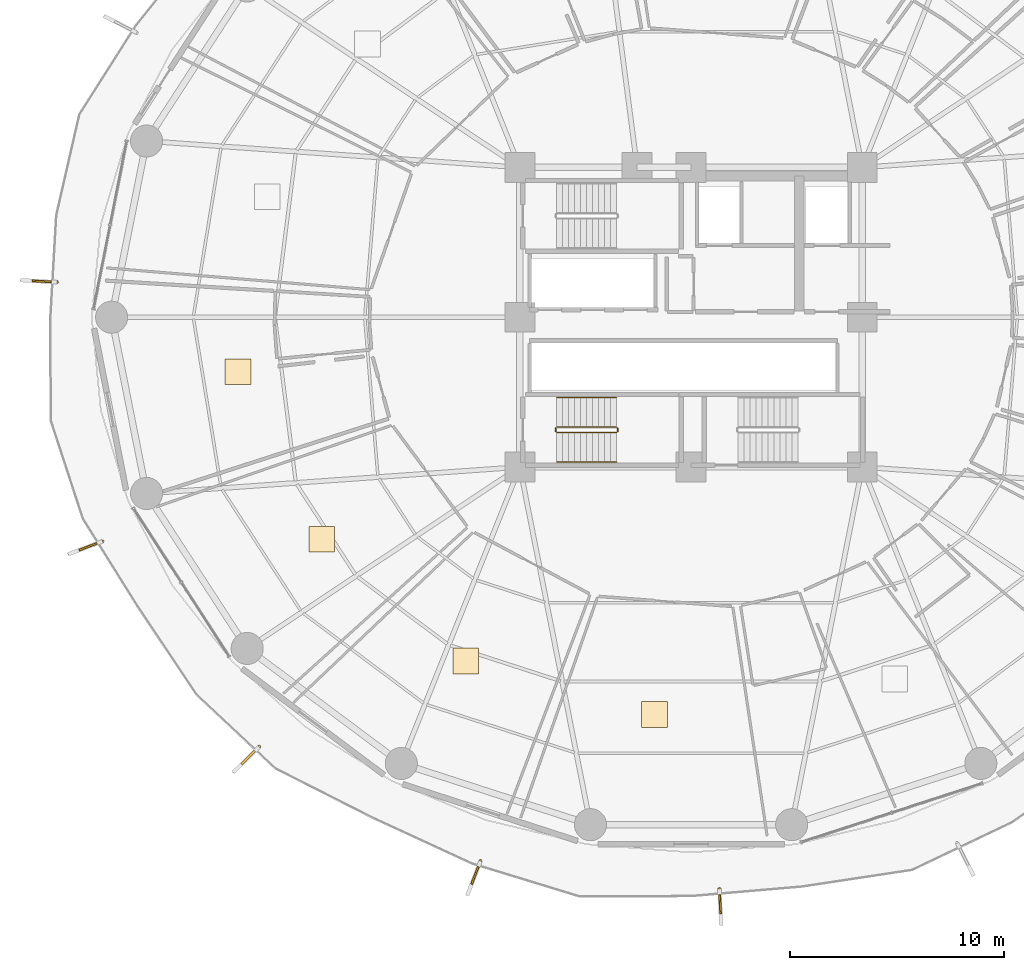
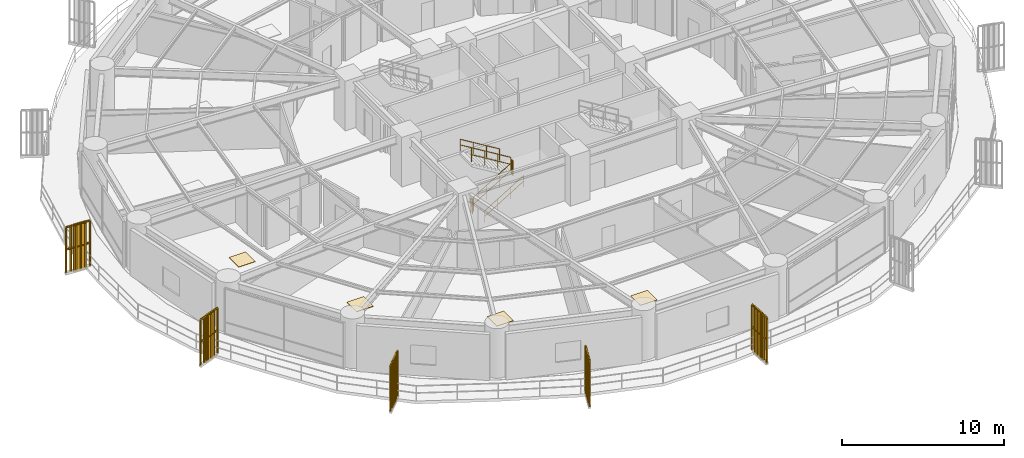
# One storey, part 28 of 32: 11 railings, 5 shading devices, 4 coverings.
"""IFC4 building model written with IfcOpenShell, lengths in metres."""

from ifc_helpers import new_model, si_unit, direction, frame, origin, origin_2d, place, context, subcontext, project, spatial, polyline, rectangle, outline, extrude, source, transform, mapped, material, layer, layer_set, type_object, element, save


model = new_model("IFC4")

# Units and contexts
model_context = context("Model", 3, precision=1e-05, world=origin(), true_north=direction((0.0, 1.0)))
body_context = subcontext(model_context, "Body", "Model", "MODEL_VIEW")
ifc_project = project(units=[si_unit("LENGTHUNIT", "METRE"), si_unit("AREAUNIT", "SQUARE_METRE"), si_unit("VOLUMEUNIT", "CUBIC_METRE"), si_unit("PLANEANGLEUNIT", "RADIAN"), si_unit("MASSUNIT", "GRAM", prefix="KILO")], contexts=[model_context])

# Site, building, storey
site_placement = place(None, origin())
site = spatial("IfcSite", under=ifc_project, at=site_placement, CompositionType="ELEMENT")
building_placement = place(site_placement, origin())
building = spatial("IfcBuilding", under=site, at=building_placement, Name="Kelanora Arch Commons", CompositionType="ELEMENT")
storey_placement = place(building_placement, frame((0.0, 0.0, 60.0)))
storey = spatial("IfcBuildingStorey", under=building, at=storey_placement, Name="L15", CompositionType="ELEMENT", Elevation=60.0)

# Railings
ifc_material_1 = material(Name="Anodised bronze vertical shading fin rib assembly")
railing_type_1 = type_object("IfcRailingType", Name="RAIL-FIN-BRZ", PredefinedType="BALUSTRADE", material=ifc_material_1)
railing_1_placement = place(storey_placement, frame((44.371826171875, 59.63720703125, -0.02001953125)))
element("IfcRailing", 1, at=railing_1_placement, inside=storey, type_object=railing_type_1, Name="Sweeping Bronze Vertical Fin Blade L15-06", PredefinedType="BALUSTRADE", context=body_context, shape_type="SweptSolid", body=[
    extrude(outline(polyline([(0.06982421875, 0.0), (0.034912109375, 0.060546875), (-0.034912109375, 0.060546875), (-0.06982421875, 0.0), (-0.034912109375, -0.060546875), (0.034912109375, -0.060546875), (0.06982421875, 0.0)])), frame((0.0, 0.0, 3.419921875), z_axis=(-0.998477100591, 0.055167740526, 0.0), x_axis=(-0.055167740526, -0.998477100591, 0.0)), (0.0, 0.0, 1.0), 1.655029296875),
    extrude(outline(polyline([(0.06982421875, 0.0), (0.034912109375, 0.060546875), (-0.034912109375, 0.060546875), (-0.06982421875, 0.0), (-0.034912109375, -0.060546875), (0.034912109375, -0.060546875), (0.06982421875, 0.0)])), frame((0.0, 0.0, 1.7451171875), z_axis=(-0.998477100591, 0.055167740526, 0.0), x_axis=(-0.055167740526, -0.998477100591, 0.0)), (0.0, 0.0, 1.0), 1.655029296875),
    extrude(outline(polyline([(0.080078125, 0.0), (0.0400390625, 0.0693359375), (-0.0400390625, 0.0693359375), (-0.080078125, 0.0), (-0.0400390625, -0.0693359375), (0.0400390625, -0.0693359375), (0.080078125, 0.0)])), origin(), (0.0, 0.0, 1.0), 3.35009765625),
    extrude(outline(polyline([(0.080078125, 0.0), (0.0400390625, 0.0693359375), (-0.0400390625, 0.0693359375), (-0.080078125, 0.0), (-0.0400390625, -0.0693359375), (0.0400390625, -0.0693359375), (0.080078125, 0.0)])), frame((-0.33056640625, 0.018310546875, 0.0)), (0.0, 0.0, 1.0), 3.35009765625),
    extrude(outline(polyline([(0.080078125, 0.0), (0.0400390625, 0.0693359375), (-0.0400390625, 0.0693359375), (-0.080078125, 0.0), (-0.0400390625, -0.0693359375), (0.0400390625, -0.0693359375), (0.080078125, 0.0)])), frame((-0.6611328125, 0.03662109375, 0.0)), (0.0, 0.0, 1.0), 3.35009765625),
    extrude(outline(polyline([(0.080078125, 0.0), (0.0400390625, 0.0693359375), (-0.0400390625, 0.0693359375), (-0.080078125, 0.0), (-0.0400390625, -0.0693359375), (0.0400390625, -0.0693359375), (0.080078125, 0.0)])), frame((-0.991455078125, 0.0546875, 0.0)), (0.0, 0.0, 1.0), 3.35009765625),
    extrude(outline(polyline([(0.080078125, 0.0), (0.0400390625, 0.0693359375), (-0.0400390625, 0.0693359375), (-0.080078125, 0.0), (-0.0400390625, -0.0693359375), (0.0400390625, -0.0693359375), (0.080078125, 0.0)])), frame((-1.322021484375, 0.072998046875, 0.0)), (0.0, 0.0, 1.0), 3.35009765625),
    extrude(outline(polyline([(0.080078125, 0.0), (0.0400390625, 0.0693359375), (-0.0400390625, 0.0693359375), (-0.080078125, 0.0), (-0.0400390625, -0.0693359375), (0.0400390625, -0.0693359375), (0.080078125, 0.0)])), frame((-1.652587890625, 0.09130859375, 0.0)), (0.0, 0.0, 1.0), 3.35009765625),
])
railing_2_placement = place(storey_placement, frame((46.491455078125, 47.5302734375, -0.02001953125)))
element("IfcRailing", 2, at=railing_2_placement, inside=storey, type_object=railing_type_1, Name="Sweeping Bronze Vertical Fin Blade L15-07", PredefinedType="BALUSTRADE", context=body_context, shape_type="SweptSolid", body=[
    extrude(outline(polyline([(0.06982421875, 0.0), (0.034912109375, 0.060546875), (-0.034912109375, 0.060546875), (-0.06982421875, 0.0), (-0.034912109375, -0.060546875), (0.034912109375, -0.060546875), (0.06982421875, 0.0)])), frame((0.0, 0.0, 3.419921875), z_axis=(-0.934571828717, -0.355774502977, 0.0), x_axis=(0.355774502977, -0.934571828717, 0.0)), (0.0, 0.0, 1.0), 1.6552734375),
    extrude(outline(polyline([(0.06982421875, 0.0), (0.034912109375, 0.060546875), (-0.034912109375, 0.060546875), (-0.06982421875, 0.0), (-0.034912109375, -0.060546875), (0.034912109375, -0.060546875), (0.06982421875, 0.0)])), frame((0.0, 0.0, 1.7451171875), z_axis=(-0.934571828717, -0.355774502977, 0.0), x_axis=(0.355774502977, -0.934571828717, 0.0)), (0.0, 0.0, 1.0), 1.6552734375),
    extrude(outline(polyline([(0.080078125, 0.0), (0.0400390625, 0.0693359375), (-0.0400390625, 0.0693359375), (-0.080078125, 0.0), (-0.0400390625, -0.0693359375), (0.0400390625, -0.0693359375), (0.080078125, 0.0)])), origin(), (0.0, 0.0, 1.0), 3.35009765625),
    extrude(outline(polyline([(0.080078125, 0.0), (0.0400390625, 0.0693359375), (-0.0400390625, 0.0693359375), (-0.080078125, 0.0), (-0.0400390625, -0.0693359375), (0.0400390625, -0.0693359375), (0.080078125, 0.0)])), frame((-0.309326171875, -0.11767578125, 0.0)), (0.0, 0.0, 1.0), 3.35009765625),
    extrude(outline(polyline([(0.080078125, 0.0), (0.0400390625, 0.0693359375), (-0.0400390625, 0.0693359375), (-0.080078125, 0.0), (-0.0400390625, -0.0693359375), (0.0400390625, -0.0693359375), (0.080078125, 0.0)])), frame((-0.61865234375, -0.235595703125, 0.0)), (0.0, 0.0, 1.0), 3.35009765625),
    extrude(outline(polyline([(0.080078125, 0.0), (0.0400390625, 0.0693359375), (-0.0400390625, 0.0693359375), (-0.080078125, 0.0), (-0.0400390625, -0.0693359375), (0.0400390625, -0.0693359375), (0.080078125, 0.0)])), frame((-0.92822265625, -0.353271484375, 0.0)), (0.0, 0.0, 1.0), 3.35009765625),
    extrude(outline(polyline([(0.080078125, 0.0), (0.0400390625, 0.0693359375), (-0.0400390625, 0.0693359375), (-0.080078125, 0.0), (-0.0400390625, -0.0693359375), (0.0400390625, -0.0693359375), (0.080078125, 0.0)])), frame((-1.237548828125, -0.47119140625, 0.0)), (0.0, 0.0, 1.0), 3.35009765625),
    extrude(outline(polyline([(0.080078125, 0.0), (0.0400390625, 0.0693359375), (-0.0400390625, 0.0693359375), (-0.080078125, 0.0), (-0.0400390625, -0.0693359375), (0.0400390625, -0.0693359375), (0.080078125, 0.0)])), frame((-1.546875, -0.5888671875, 0.0)), (0.0, 0.0, 1.0), 3.35009765625),
])
railing_3_placement = place(storey_placement, frame((53.8154296875, 37.929931640625, -0.02001953125)))
element("IfcRailing", 3, at=railing_3_placement, inside=storey, type_object=railing_type_1, Name="Sweeping Bronze Vertical Fin Blade L15-08", PredefinedType="BALUSTRADE", context=body_context, shape_type="SweptSolid", body=[
    extrude(outline(polyline([(0.06982421875, 0.0), (0.034912109375, 0.060546875), (-0.034912109375, 0.060546875), (-0.06982421875, 0.0), (-0.034912109375, -0.060546875), (0.034912109375, -0.060546875), (0.06982421875, 0.0)])), frame((0.0, 0.0, 3.419921875), z_axis=(-0.709169162775, -0.705038366736, 0.0), x_axis=(0.705038366736, -0.709169162775, 0.0)), (0.0, 0.0, 1.0), 1.65478515625),
    extrude(outline(polyline([(0.06982421875, 0.0), (0.034912109375, 0.060546875), (-0.034912109375, 0.060546875), (-0.06982421875, 0.0), (-0.034912109375, -0.060546875), (0.034912109375, -0.060546875), (0.06982421875, 0.0)])), frame((0.0, 0.0, 1.7451171875), z_axis=(-0.709169162775, -0.705038366736, 0.0), x_axis=(0.705038366736, -0.709169162775, 0.0)), (0.0, 0.0, 1.0), 1.65478515625),
    extrude(outline(polyline([(0.080078125, 0.0), (0.0400390625, 0.0693359375), (-0.0400390625, 0.0693359375), (-0.080078125, 0.0), (-0.0400390625, -0.0693359375), (0.0400390625, -0.0693359375), (0.080078125, 0.0)])), origin(), (0.0, 0.0, 1.0), 3.35009765625),
    extrude(outline(polyline([(0.080078125, 0.0), (0.0400390625, 0.0693359375), (-0.0400390625, 0.0693359375), (-0.080078125, 0.0), (-0.0400390625, -0.0693359375), (0.0400390625, -0.0693359375), (0.080078125, 0.0)])), frame((-0.234619140625, -0.2333984375, 0.0)), (0.0, 0.0, 1.0), 3.35009765625),
    extrude(outline(polyline([(0.080078125, 0.0), (0.0400390625, 0.0693359375), (-0.0400390625, 0.0693359375), (-0.080078125, 0.0), (-0.0400390625, -0.0693359375), (0.0400390625, -0.0693359375), (0.080078125, 0.0)])), frame((-0.469482421875, -0.466796875, 0.0)), (0.0, 0.0, 1.0), 3.35009765625),
    extrude(outline(polyline([(0.080078125, 0.0), (0.0400390625, 0.0693359375), (-0.0400390625, 0.0693359375), (-0.080078125, 0.0), (-0.0400390625, -0.0693359375), (0.0400390625, -0.0693359375), (0.080078125, 0.0)])), frame((-0.7041015625, -0.699951171875, 0.0)), (0.0, 0.0, 1.0), 3.35009765625),
    extrude(outline(polyline([(0.080078125, 0.0), (0.0400390625, 0.0693359375), (-0.0400390625, 0.0693359375), (-0.080078125, 0.0), (-0.0400390625, -0.0693359375), (0.0400390625, -0.0693359375), (0.080078125, 0.0)])), frame((-0.93896484375, -0.933349609375, 0.0)), (0.0, 0.0, 1.0), 3.35009765625),
    extrude(outline(polyline([(0.080078125, 0.0), (0.0400390625, 0.0693359375), (-0.0400390625, 0.0693359375), (-0.080078125, 0.0), (-0.0400390625, -0.0693359375), (0.0400390625, -0.0693359375), (0.080078125, 0.0)])), frame((-1.173583984375, -1.166748046875, 0.0)), (0.0, 0.0, 1.0), 3.35009765625),
])
railing_4_placement = place(storey_placement, frame((64.160400390625, 32.583740234375, -0.02001953125)))
element("IfcRailing", 4, at=railing_4_placement, inside=storey, type_object=railing_type_1, Name="Sweeping Bronze Vertical Fin Blade L15-09", PredefinedType="BALUSTRADE", context=body_context, shape_type="SweptSolid", body=[
    extrude(outline(polyline([(0.06982421875, 0.0), (0.034912109375, 0.060546875), (-0.034912109375, 0.060546875), (-0.06982421875, 0.0), (-0.034912109375, -0.060546875), (0.034912109375, -0.060546875), (0.06982421875, 0.0)])), frame((0.0, 0.0, 3.419921875), z_axis=(-0.360965133701, -0.932579311508, 0.0), x_axis=(0.932579311508, -0.360965133701, 0.0)), (0.0, 0.0, 1.0), 1.655029296875),
    extrude(outline(polyline([(0.06982421875, 0.0), (0.034912109375, 0.060546875), (-0.034912109375, 0.060546875), (-0.06982421875, 0.0), (-0.034912109375, -0.060546875), (0.034912109375, -0.060546875), (0.06982421875, 0.0)])), frame((0.0, 0.0, 1.7451171875), z_axis=(-0.360965133701, -0.932579311508, 0.0), x_axis=(0.932579311508, -0.360965133701, 0.0)), (0.0, 0.0, 1.0), 1.655029296875),
    extrude(outline(polyline([(0.080078125, 0.0), (0.0400390625, 0.0693359375), (-0.0400390625, 0.0693359375), (-0.080078125, 0.0), (-0.0400390625, -0.0693359375), (0.0400390625, -0.0693359375), (0.080078125, 0.0)])), origin(), (0.0, 0.0, 1.0), 3.35009765625),
    extrude(outline(polyline([(0.080078125, 0.0), (0.0400390625, 0.0693359375), (-0.0400390625, 0.0693359375), (-0.080078125, 0.0), (-0.0400390625, -0.0693359375), (0.0400390625, -0.0693359375), (0.080078125, 0.0)])), frame((-0.119384765625, -0.30859375, 0.0)), (0.0, 0.0, 1.0), 3.35009765625),
    extrude(outline(polyline([(0.080078125, 0.0), (0.0400390625, 0.0693359375), (-0.0400390625, 0.0693359375), (-0.080078125, 0.0), (-0.0400390625, -0.0693359375), (0.0400390625, -0.0693359375), (0.080078125, 0.0)])), frame((-0.239013671875, -0.617431640625, 0.0)), (0.0, 0.0, 1.0), 3.35009765625),
    extrude(outline(polyline([(0.080078125, 0.0), (0.0400390625, 0.0693359375), (-0.0400390625, 0.0693359375), (-0.080078125, 0.0), (-0.0400390625, -0.0693359375), (0.0400390625, -0.0693359375), (0.080078125, 0.0)])), frame((-0.3583984375, -0.926025390625, 0.0)), (0.0, 0.0, 1.0), 3.35009765625),
    extrude(outline(polyline([(0.080078125, 0.0), (0.0400390625, 0.0693359375), (-0.0400390625, 0.0693359375), (-0.080078125, 0.0), (-0.0400390625, -0.0693359375), (0.0400390625, -0.0693359375), (0.080078125, 0.0)])), frame((-0.47802734375, -1.23486328125, 0.0)), (0.0, 0.0, 1.0), 3.35009765625),
    extrude(outline(polyline([(0.080078125, 0.0), (0.0400390625, 0.0693359375), (-0.0400390625, 0.0693359375), (-0.080078125, 0.0), (-0.0400390625, -0.0693359375), (0.0400390625, -0.0693359375), (0.080078125, 0.0)])), frame((-0.597412109375, -1.54345703125, 0.0)), (0.0, 0.0, 1.0), 3.35009765625),
])
railing_5_placement = place(storey_placement, frame((75.32373046875, 31.28955078125, -0.02001953125)))
element("IfcRailing", 5, at=railing_5_placement, inside=storey, type_object=railing_type_1, Name="Sweeping Bronze Vertical Fin Blade L15-10", PredefinedType="BALUSTRADE", context=body_context, shape_type="SweptSolid", body=[
    extrude(outline(polyline([(0.06982421875, 0.0), (0.034912109375, 0.060546875), (-0.034912109375, 0.060546875), (-0.06982421875, 0.0), (-0.034912109375, -0.060546875), (0.034912109375, -0.060546875), (0.06982421875, 0.0)])), frame((0.0, 0.0, 3.419921875), z_axis=(0.049415261719, -0.998778319703, 0.0), x_axis=(0.998778319703, 0.049415261719, 0.0)), (0.0, 0.0, 1.0), 1.655029296875),
    extrude(outline(polyline([(0.06982421875, 0.0), (0.034912109375, 0.060546875), (-0.034912109375, 0.060546875), (-0.06982421875, 0.0), (-0.034912109375, -0.060546875), (0.034912109375, -0.060546875), (0.06982421875, 0.0)])), frame((0.0, 0.0, 1.7451171875), z_axis=(0.049415261719, -0.998778319703, 0.0), x_axis=(0.998778319703, 0.049415261719, 0.0)), (0.0, 0.0, 1.0), 1.655029296875),
    extrude(outline(polyline([(0.080078125, 0.0), (0.0400390625, 0.0693359375), (-0.0400390625, 0.0693359375), (-0.080078125, 0.0), (-0.0400390625, -0.0693359375), (0.0400390625, -0.0693359375), (0.080078125, 0.0)])), origin(), (0.0, 0.0, 1.0), 3.35009765625),
    extrude(outline(polyline([(0.080078125, 0.0), (0.0400390625, 0.0693359375), (-0.0400390625, 0.0693359375), (-0.080078125, 0.0), (-0.0400390625, -0.0693359375), (0.0400390625, -0.0693359375), (0.080078125, 0.0)])), frame((0.016357421875, -0.33056640625, 0.0)), (0.0, 0.0, 1.0), 3.35009765625),
    extrude(outline(polyline([(0.080078125, 0.0), (0.0400390625, 0.0693359375), (-0.0400390625, 0.0693359375), (-0.080078125, 0.0), (-0.0400390625, -0.0693359375), (0.0400390625, -0.0693359375), (0.080078125, 0.0)])), frame((0.03271484375, -0.6611328125, 0.0)), (0.0, 0.0, 1.0), 3.35009765625),
    extrude(outline(polyline([(0.080078125, 0.0), (0.0400390625, 0.0693359375), (-0.0400390625, 0.0693359375), (-0.080078125, 0.0), (-0.0400390625, -0.0693359375), (0.0400390625, -0.0693359375), (0.080078125, 0.0)])), frame((0.049072265625, -0.991943359375, 0.0)), (0.0, 0.0, 1.0), 3.35009765625),
    extrude(outline(polyline([(0.080078125, 0.0), (0.0400390625, 0.0693359375), (-0.0400390625, 0.0693359375), (-0.080078125, 0.0), (-0.0400390625, -0.0693359375), (0.0400390625, -0.0693359375), (0.080078125, 0.0)])), frame((0.0654296875, -1.322509765625, 0.0)), (0.0, 0.0, 1.0), 3.35009765625),
    extrude(outline(polyline([(0.080078125, 0.0), (0.0400390625, 0.0693359375), (-0.0400390625, 0.0693359375), (-0.080078125, 0.0), (-0.0400390625, -0.0693359375), (0.0400390625, -0.0693359375), (0.080078125, 0.0)])), frame((0.081787109375, -1.653076171875, 0.0)), (0.0, 0.0, 1.0), 3.35009765625),
])
ifc_material_2 = material(Name="Painted steel stair well guard", Category="steel")
railing_type_2 = type_object("IfcRailingType", Name="RAIL-STAIR-GRD", PredefinedType="GUARDRAIL", material=ifc_material_2)
railing_6_placement = place(storey_placement, frame((67.719970703125, 52.610107421875, 0.17041015625)))
element("IfcRailing", 6, at=railing_6_placement, inside=storey, type_object=railing_type_2, Name="L15 ST-T3 stair guard 1", PredefinedType="GUARDRAIL", context=body_context, shape_type="SweptSolid", body=[
    extrude(outline(polyline([(0.02392578125, 0.0), (0.011962890625, 0.020751953125), (-0.011962890625, 0.020751953125), (-0.02392578125, 0.0), (-0.011962890625, -0.020751953125), (0.011962890625, -0.020751953125), (0.02392578125, 0.0)])), frame((0.0, 0.0, 1.076171875), z_axis=(0.854169791009, 0.0, 0.51999420009), x_axis=(0.0, 1.0, 0.0)), (0.0, 0.0, 1.0), 3.278076171875),
    extrude(outline(polyline([(0.02392578125, 0.0), (0.011962890625, 0.020751953125), (-0.011962890625, 0.020751953125), (-0.02392578125, 0.0), (-0.011962890625, -0.020751953125), (0.011962890625, -0.020751953125), (0.02392578125, 0.0)])), frame((0.0, 0.0, 0.550048828125), z_axis=(0.854169791009, 0.0, 0.51999420009), x_axis=(0.0, 1.0, 0.0)), (0.0, 0.0, 1.0), 3.278076171875),
    extrude(outline(polyline([(0.02099609375, 0.0), (0.010498046875, 0.01806640625), (-0.010498046875, 0.01806640625), (-0.02099609375, 0.0), (-0.010498046875, -0.01806640625), (0.010498046875, -0.01806640625), (0.02099609375, 0.0)])), origin(), (0.0, 0.0, 1.0), 1.052001953125),
    extrude(outline(polyline([(0.02099609375, 0.0), (0.010498046875, 0.01806640625), (-0.010498046875, 0.01806640625), (-0.02099609375, 0.0), (-0.010498046875, -0.01806640625), (0.010498046875, -0.01806640625), (0.02099609375, 0.0)])), frame((0.933349609375, 0.0, 0.568115234375)), (0.0, 0.0, 1.0), 1.052001953125),
    extrude(outline(polyline([(0.02099609375, 0.0), (0.010498046875, 0.01806640625), (-0.010498046875, 0.01806640625), (-0.02099609375, 0.0), (-0.010498046875, -0.01806640625), (0.010498046875, -0.01806640625), (0.02099609375, 0.0)])), frame((1.86669921875, 0.0, 1.136474609375)), (0.0, 0.0, 1.0), 1.052001953125),
    extrude(outline(polyline([(0.02099609375, 0.0), (0.010498046875, 0.01806640625), (-0.010498046875, 0.01806640625), (-0.02099609375, 0.0), (-0.010498046875, -0.01806640625), (0.010498046875, -0.01806640625), (0.02099609375, 0.0)])), frame((2.800048828125, 0.0, 1.70458984375)), (0.0, 0.0, 1.0), 1.052001953125),
])
railing_7_placement = place(storey_placement, frame((70.570068359375, 52.659912109375, 1.875)))
element("IfcRailing", 7, at=railing_7_placement, inside=storey, type_object=railing_type_2, Name="L15 ST-T3 stair guard 2", PredefinedType="GUARDRAIL", context=body_context, shape_type="SweptSolid", body=[
    extrude(outline(polyline([(0.02392578125, 0.0), (0.011962890625, 0.020751953125), (-0.011962890625, 0.020751953125), (-0.02392578125, 0.0), (-0.011962890625, -0.020751953125), (0.011962890625, -0.020751953125), (0.02392578125, 0.0)])), frame((0.0, 0.0, 1.076171875), z_axis=(0.0, 1.0, 0.0), x_axis=(-1.0, 0.0, 0.0)), (0.0, 0.0, 1.0), 0.150146484375),
    extrude(outline(polyline([(0.02392578125, 0.0), (0.011962890625, 0.020751953125), (-0.011962890625, 0.020751953125), (-0.02392578125, 0.0), (-0.011962890625, -0.020751953125), (0.011962890625, -0.020751953125), (0.02392578125, 0.0)])), frame((0.0, 0.0, 0.550048828125), z_axis=(0.0, 1.0, 0.0), x_axis=(-1.0, 0.0, 0.0)), (0.0, 0.0, 1.0), 0.150146484375),
    extrude(outline(polyline([(0.02099609375, 0.0), (0.010498046875, 0.01806640625), (-0.010498046875, 0.01806640625), (-0.02099609375, 0.0), (-0.010498046875, -0.01806640625), (0.010498046875, -0.01806640625), (0.02099609375, 0.0)])), origin(), (0.0, 0.0, 1.0), 1.052001953125),
    extrude(outline(polyline([(0.02099609375, 0.0), (0.010498046875, 0.01806640625), (-0.010498046875, 0.01806640625), (-0.02099609375, 0.0), (-0.010498046875, -0.01806640625), (0.010498046875, -0.01806640625), (0.02099609375, 0.0)])), frame((0.0, 0.150146484375, 0.0)), (0.0, 0.0, 1.0), 1.052001953125),
])
railing_8_placement = place(storey_placement, frame((70.52001953125, 52.860107421875, 2.04541015625)))
element("IfcRailing", 8, at=railing_8_placement, inside=storey, type_object=railing_type_2, Name="L15 ST-T3 stair guard 3", PredefinedType="GUARDRAIL", context=body_context, shape_type="SweptSolid", body=[
    extrude(outline(polyline([(0.02392578125, 0.0), (0.011962890625, 0.020751953125), (-0.011962890625, 0.020751953125), (-0.02392578125, 0.0), (-0.011962890625, -0.020751953125), (0.011962890625, -0.020751953125), (0.02392578125, 0.0)])), frame((0.0, 0.0, 1.076171875), z_axis=(-0.854169791009, 0.0, 0.51999420009), x_axis=(0.0, -1.0, 0.0)), (0.0, 0.0, 1.0), 3.278076171875),
    extrude(outline(polyline([(0.02392578125, 0.0), (0.011962890625, 0.020751953125), (-0.011962890625, 0.020751953125), (-0.02392578125, 0.0), (-0.011962890625, -0.020751953125), (0.011962890625, -0.020751953125), (0.02392578125, 0.0)])), frame((0.0, 0.0, 0.550048828125), z_axis=(-0.854169791009, 0.0, 0.51999420009), x_axis=(0.0, -1.0, 0.0)), (0.0, 0.0, 1.0), 3.278076171875),
    extrude(outline(polyline([(0.02099609375, 0.0), (0.010498046875, 0.01806640625), (-0.010498046875, 0.01806640625), (-0.02099609375, 0.0), (-0.010498046875, -0.01806640625), (0.010498046875, -0.01806640625), (0.02099609375, 0.0)])), origin(), (0.0, 0.0, 1.0), 1.052001953125),
    extrude(outline(polyline([(0.02099609375, 0.0), (0.010498046875, 0.01806640625), (-0.010498046875, 0.01806640625), (-0.02099609375, 0.0), (-0.010498046875, -0.01806640625), (0.010498046875, -0.01806640625), (0.02099609375, 0.0)])), frame((-0.933349609375, 0.0, 0.568115234375)), (0.0, 0.0, 1.0), 1.052001953125),
    extrude(outline(polyline([(0.02099609375, 0.0), (0.010498046875, 0.01806640625), (-0.010498046875, 0.01806640625), (-0.02099609375, 0.0), (-0.010498046875, -0.01806640625), (0.010498046875, -0.01806640625), (0.02099609375, 0.0)])), frame((-1.86669921875, 0.0, 1.136474609375)), (0.0, 0.0, 1.0), 1.052001953125),
    extrude(outline(polyline([(0.02099609375, 0.0), (0.010498046875, 0.01806640625), (-0.010498046875, 0.01806640625), (-0.02099609375, 0.0), (-0.010498046875, -0.01806640625), (0.010498046875, -0.01806640625), (0.02099609375, 0.0)])), frame((-2.800048828125, 0.0, 1.70458984375)), (0.0, 0.0, 1.0), 1.052001953125),
])
railing_9_placement = place(storey_placement, frame((67.669921875, 52.659912109375, 0.0)))
element("IfcRailing", 9, at=railing_9_placement, inside=storey, type_object=railing_type_2, Name="L15 ST-T3 stair guard 4", PredefinedType="GUARDRAIL", context=body_context, shape_type="SweptSolid", body=[
    extrude(outline(polyline([(0.02392578125, 0.0), (0.011962890625, 0.020751953125), (-0.011962890625, 0.020751953125), (-0.02392578125, 0.0), (-0.011962890625, -0.020751953125), (0.011962890625, -0.020751953125), (0.02392578125, 0.0)])), frame((0.0, 0.0, 1.076171875), z_axis=(0.0, 1.0, 0.0), x_axis=(-1.0, 0.0, 0.0)), (0.0, 0.0, 1.0), 0.150146484375),
    extrude(outline(polyline([(0.02392578125, 0.0), (0.011962890625, 0.020751953125), (-0.011962890625, 0.020751953125), (-0.02392578125, 0.0), (-0.011962890625, -0.020751953125), (0.011962890625, -0.020751953125), (0.02392578125, 0.0)])), frame((0.0, 0.0, 0.550048828125), z_axis=(0.0, 1.0, 0.0), x_axis=(-1.0, 0.0, 0.0)), (0.0, 0.0, 1.0), 0.150146484375),
    extrude(outline(polyline([(0.02099609375, 0.0), (0.010498046875, 0.01806640625), (-0.010498046875, 0.01806640625), (-0.02099609375, 0.0), (-0.010498046875, -0.01806640625), (0.010498046875, -0.01806640625), (0.02099609375, 0.0)])), origin(), (0.0, 0.0, 1.0), 1.052001953125),
    extrude(outline(polyline([(0.02099609375, 0.0), (0.010498046875, 0.01806640625), (-0.010498046875, 0.01806640625), (-0.02099609375, 0.0), (-0.010498046875, -0.01806640625), (0.010498046875, -0.01806640625), (0.02099609375, 0.0)])), frame((0.0, 0.150146484375, 0.0)), (0.0, 0.0, 1.0), 1.052001953125),
])
ifc_material_3 = material(Name="Brushed stainless steel stair handrail", Category="steel")
railing_type_3 = type_object("IfcRailingType", Name="RAIL-STAIR-HND", PredefinedType="HANDRAIL", material=ifc_material_3)
railing_10_placement = place(storey_placement, frame((67.719970703125, 51.22998046875, 0.17041015625)))
element("IfcRailing", 10, at=railing_10_placement, inside=storey, type_object=railing_type_3, Name="L15 ST-T3 stair handrail 1", PredefinedType="HANDRAIL", context=body_context, shape_type="SweptSolid", body=[
    extrude(outline(polyline([(0.02392578125, 0.0), (0.011962890625, 0.020751953125), (-0.011962890625, 0.020751953125), (-0.02392578125, 0.0), (-0.011962890625, -0.020751953125), (0.011962890625, -0.020751953125), (0.02392578125, 0.0)])), frame((0.0, 0.0, 0.8759765625), z_axis=(0.854169791009, 0.0, 0.51999420009), x_axis=(0.0, 1.0, 0.0)), (0.0, 0.0, 1.0), 3.278076171875),
    extrude(outline(polyline([(0.02392578125, 0.0), (0.011962890625, 0.020751953125), (-0.011962890625, 0.020751953125), (-0.02392578125, 0.0), (-0.011962890625, -0.020751953125), (0.011962890625, -0.020751953125), (0.02392578125, 0.0)])), frame((0.0, 0.0, 0.449951171875), z_axis=(0.854169791009, 0.0, 0.51999420009), x_axis=(0.0, 1.0, 0.0)), (0.0, 0.0, 1.0), 3.278076171875),
    extrude(outline(polyline([(0.02099609375, 0.0), (0.010498046875, 0.01806640625), (-0.010498046875, 0.01806640625), (-0.02099609375, 0.0), (-0.010498046875, -0.01806640625), (0.010498046875, -0.01806640625), (0.02099609375, 0.0)])), origin(), (0.0, 0.0, 1.0), 0.851806640625),
    extrude(outline(polyline([(0.02099609375, 0.0), (0.010498046875, 0.01806640625), (-0.010498046875, 0.01806640625), (-0.02099609375, 0.0), (-0.010498046875, -0.01806640625), (0.010498046875, -0.01806640625), (0.02099609375, 0.0)])), frame((0.933349609375, 0.0, 0.568115234375)), (0.0, 0.0, 1.0), 0.851806640625),
    extrude(outline(polyline([(0.02099609375, 0.0), (0.010498046875, 0.01806640625), (-0.010498046875, 0.01806640625), (-0.02099609375, 0.0), (-0.010498046875, -0.01806640625), (0.010498046875, -0.01806640625), (0.02099609375, 0.0)])), frame((1.86669921875, 0.0, 1.136474609375)), (0.0, 0.0, 1.0), 0.851806640625),
    extrude(outline(polyline([(0.02099609375, 0.0), (0.010498046875, 0.01806640625), (-0.010498046875, 0.01806640625), (-0.02099609375, 0.0), (-0.010498046875, -0.01806640625), (0.010498046875, -0.01806640625), (0.02099609375, 0.0)])), frame((2.800048828125, 0.0, 1.70458984375)), (0.0, 0.0, 1.0), 0.851806640625),
])
railing_11_placement = place(storey_placement, frame((70.52001953125, 54.239990234375, 2.04541015625)))
element("IfcRailing", 11, at=railing_11_placement, inside=storey, type_object=railing_type_3, Name="L15 ST-T3 stair handrail 2", PredefinedType="HANDRAIL", context=body_context, shape_type="SweptSolid", body=[
    extrude(outline(polyline([(0.02392578125, 0.0), (0.011962890625, 0.020751953125), (-0.011962890625, 0.020751953125), (-0.02392578125, 0.0), (-0.011962890625, -0.020751953125), (0.011962890625, -0.020751953125), (0.02392578125, 0.0)])), frame((0.0, 0.0, 0.8759765625), z_axis=(-0.854169791009, 0.0, 0.51999420009), x_axis=(0.0, -1.0, 0.0)), (0.0, 0.0, 1.0), 3.278076171875),
    extrude(outline(polyline([(0.02392578125, 0.0), (0.011962890625, 0.020751953125), (-0.011962890625, 0.020751953125), (-0.02392578125, 0.0), (-0.011962890625, -0.020751953125), (0.011962890625, -0.020751953125), (0.02392578125, 0.0)])), frame((0.0, 0.0, 0.449951171875), z_axis=(-0.854169791009, 0.0, 0.51999420009), x_axis=(0.0, -1.0, 0.0)), (0.0, 0.0, 1.0), 3.278076171875),
    extrude(outline(polyline([(0.02099609375, 0.0), (0.010498046875, 0.01806640625), (-0.010498046875, 0.01806640625), (-0.02099609375, 0.0), (-0.010498046875, -0.01806640625), (0.010498046875, -0.01806640625), (0.02099609375, 0.0)])), origin(), (0.0, 0.0, 1.0), 0.851806640625),
    extrude(outline(polyline([(0.02099609375, 0.0), (0.010498046875, 0.01806640625), (-0.010498046875, 0.01806640625), (-0.02099609375, 0.0), (-0.010498046875, -0.01806640625), (0.010498046875, -0.01806640625), (0.02099609375, 0.0)])), frame((-0.933349609375, 0.0, 0.568115234375)), (0.0, 0.0, 1.0), 0.851806640625),
    extrude(outline(polyline([(0.02099609375, 0.0), (0.010498046875, 0.01806640625), (-0.010498046875, 0.01806640625), (-0.02099609375, 0.0), (-0.010498046875, -0.01806640625), (0.010498046875, -0.01806640625), (0.02099609375, 0.0)])), frame((-1.86669921875, 0.0, 1.136474609375)), (0.0, 0.0, 1.0), 0.851806640625),
    extrude(outline(polyline([(0.02099609375, 0.0), (0.010498046875, 0.01806640625), (-0.010498046875, 0.01806640625), (-0.02099609375, 0.0), (-0.010498046875, -0.01806640625), (0.010498046875, -0.01806640625), (0.02099609375, 0.0)])), frame((-2.800048828125, 0.0, 1.70458984375)), (0.0, 0.0, 1.0), 0.851806640625),
])

# Shading devices
ifc_material_4 = material(Name="Terracotta ceramic-clad extruded aluminium fin", Category="masonry")
shading_device_type = type_object("IfcShadingDeviceType", Name="SHD-FIN-FLARE", PredefinedType="USERDEFINED", material=ifc_material_4)
shared_shape_1 = source(origin(), body_context, "Body", "SweptSolid", [
    extrude(rectangle(XDim=0.8798828125, YDim=0.090087890625, at=origin_2d()), origin(), (0.0, 0.0, 1.0), 3.610107421875),
])
for number, where, z_axis, x_axis, name in (
    (12, (43.65283203125, 59.677001953125, -0.14013671875), (0.0, 0.0, 1.0), (-0.998479491627, 0.055124448298, 0.0), "Sweeping Terracotta Fin L15-06"),
    (13, (45.818603515625, 47.274169921875, -0.14013671875), (0.0, 0.0, 1.0), (-0.934577537177, -0.355759507257, 0.0), "Sweeping Terracotta Fin L15-07"),
    (14, (53.304931640625, 37.42236328125, -0.14013671875), (0.0, 0.0, 1.0), (-0.709078636179, -0.705129412033, 0.0), "Sweeping Terracotta Fin L15-08"),
    (15, (63.900634765625, 31.912109375, -0.14013671875), (0.0, 0.0, 1.0), (-0.360973597208, -0.93257603557, 0.0), "Sweeping Terracotta Fin L15-09"),
    (16, (75.359375, 30.5703125, -0.14013671875), (0.0, 0.0, 1.0), (0.049547056062, -0.998771790368, 0.0), "Sweeping Terracotta Fin L15-10"),
):
    element("IfcShadingDevice", number, at=place(storey_placement, frame(where, z_axis=z_axis, x_axis=x_axis)), inside=storey, type_object=shading_device_type, Name=name, ObjectType="FIN", PredefinedType="USERDEFINED", context=body_context, shape_type="MappedRepresentation", body=[
        mapped(shared_shape_1, transform((0.0, 0.0, 0.0), scale=1.0)),
    ])

# Coverings
ifc_material_5 = material(Name="Polished local granite terrazzo flooring", Category="masonry")
ifc_layer = layer(ifc_material_5, 0.030029296875)
ifc_layer_set = layer_set([ifc_layer], Name="Polished local granite terrazzo flooring")
covering_type = type_object("IfcCoveringType", Name="COV-FLR-TER", PredefinedType="FLOORING", material=ifc_layer_set)
shared_shape_2 = source(origin(), body_context, "Body", "SweptSolid", [
    extrude(rectangle(XDim=1.199951171875, YDim=1.199951171875, at=origin_2d()), origin(), (0.0, 0.0, 1.0), 0.030029296875),
])
for number, where, z_axis, x_axis, name in (
    (17, (52.82958984375, 55.452392578125, 0.0), (0.0, 0.0, 1.0), (1.0, 0.0, 0.0), "Co-Living Studio L15-07 Terrazzo Finish"),
    (18, (56.7451171875, 47.6220703125, 0.0), (0.0, 0.0, 1.0), (1.0, 0.0, 0.0), "Communal Dining and Social Hall L15-08 Terrazzo Finish"),
    (19, (63.476318359375, 41.93798828125, 0.0), (0.0, 0.0, 1.0), (1.0, 0.0, 0.0), "Quiet Seminar Study Room L15-09 Terrazzo Finish"),
    (20, (72.29248046875, 39.435546875, 0.0), (0.0, 0.0, 1.0), (1.0, 0.0, 0.0), "Quiet Seminar Study Room L15-10 Terrazzo Finish"),
):
    element("IfcCovering", number, at=place(storey_placement, frame(where, z_axis=z_axis, x_axis=x_axis)), inside=storey, type_object=covering_type, Name=name, PredefinedType="FLOORING", context=body_context, shape_type="MappedRepresentation", body=[
        mapped(shared_shape_2, transform((0.0, 0.0, 0.0), scale=1.0)),
    ])

save(model, "model.ifc")
